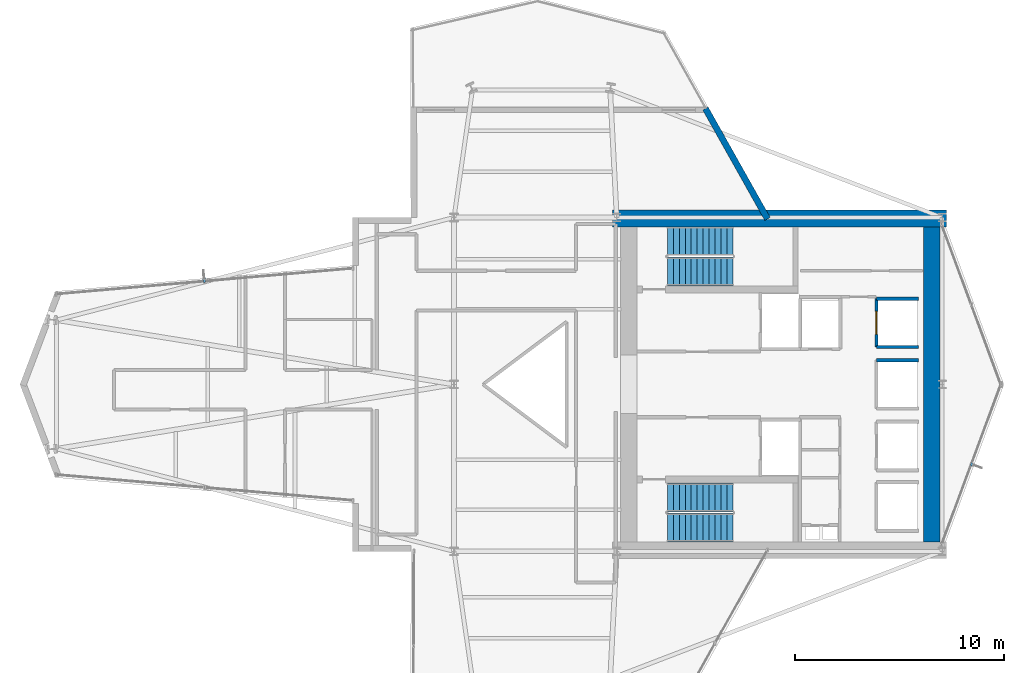
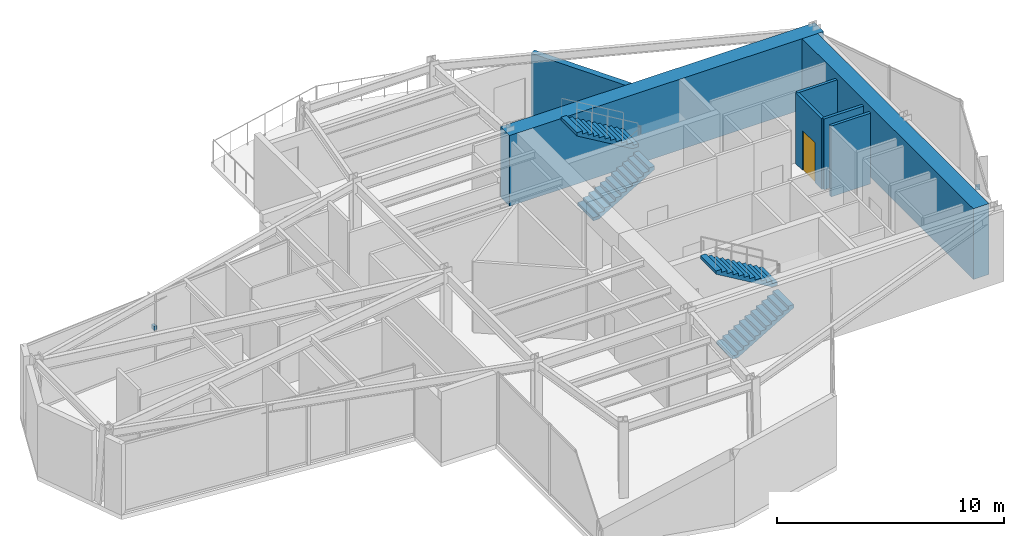
# One storey, part 21 of 23: 7 walls, 4 stair flights, 2 discrete accessories, 1 door, 1 opening, 2 elements without a shape of their own.
"""IFC4 building model written with IfcOpenShell, lengths in metres."""

from ifc_helpers import new_model, si_unit, direction, frame, frame_2d, origin, origin_2d, place, context, subcontext, project, spatial, polyline, rectangle, outline, extrude, material, layer, layer_set, type_object, element, fill, aggregate, save


model = new_model("IFC4")

# Units and contexts
model_context = context("Model", 3, precision=1e-05, world=origin(), true_north=direction((0.0, 1.0)))
body_context = subcontext(model_context, "Body", "Model", "MODEL_VIEW")
ifc_project = project(units=[si_unit("LENGTHUNIT", "METRE"), si_unit("AREAUNIT", "SQUARE_METRE"), si_unit("VOLUMEUNIT", "CUBIC_METRE"), si_unit("PLANEANGLEUNIT", "RADIAN"), si_unit("MASSUNIT", "GRAM", prefix="KILO")], contexts=[model_context])

# Site, building, storey
site_placement = place(None, origin())
site = spatial("IfcSite", under=ifc_project, at=site_placement, CompositionType="ELEMENT")
building_placement = place(site_placement, origin())
building = spatial("IfcBuilding", under=site, at=building_placement, Name="Veymaron Broadcast Tower", CompositionType="ELEMENT")
storey_placement = place(building_placement, frame((0.0, 0.0, 165.449951171875)))
storey = spatial("IfcBuildingStorey", under=building, at=storey_placement, Name="L38", CompositionType="ELEMENT", Elevation=165.449951171875)

# Wall
ifc_material_1 = material(Name="Precast concrete C40/50 with mineral-wool insulation", Category="concrete")
ifc_layer_1 = layer(ifc_material_1, 0.300048828125)
ifc_layer_set_1 = layer_set([ifc_layer_1], Name="Precast concrete C40/50 with mineral-wool insulation")
wall_type_1 = type_object("IfcWallType", Name="WALL-EXT-300", PredefinedType="STANDARD", material=ifc_layer_set_1)
wall_1_placement = place(storey_placement, frame((46.22802734375, 31.931396484375, 0.0), z_axis=(0.0, 0.0, 1.0), x_axis=(-0.490139068903, 0.871644246889, 0.0)))
element("IfcWall", 1, at=wall_1_placement, inside=storey, type_object=wall_type_1, Name="L38 notched corner facade pier 6-1", PredefinedType="STANDARD", context=body_context, shape_type="SweptSolid", body=[
    extrude(rectangle(XDim=6.072509765625, YDim=0.300048828125, at=frame_2d((3.0361328125, 0.0))), origin(), (0.0, 0.0, 1.0), 3.338134765625),
])

# Wall, opening, door
ifc_material_2 = material(Name="Gypsum fireboard and steel stud framing", Category="steel")
ifc_layer_2 = layer(ifc_material_2, 0.14990234375)
ifc_layer_set_2 = layer_set([ifc_layer_2], Name="Gypsum fireboard and steel stud framing")
wall_type_2 = type_object("IfcWallType", Name="WALL-FIRE-150", PredefinedType="PARTITIONING", material=ifc_layer_set_2)
wall_2_placement = place(storey_placement, frame((51.445068359375, 25.7900390625, 0.0), z_axis=(0.0, 0.0, 1.0), x_axis=(0.0, 1.0, 0.0)))
wall_2 = element("IfcWall", 2, at=wall_2_placement, inside=storey, type_object=wall_type_2, Name="L38 partition IW-L38-SHW-PM1", PredefinedType="PARTITIONING", context=body_context, shape_type="SweptSolid", body=[
    extrude(rectangle(XDim=2.320068359375, YDim=0.14990234375, at=frame_2d((1.16015625, 0.0))), origin(), (0.0, 0.0, 1.0), 3.81005859375),
])
opening_placement = place(wall_2_placement, frame((0.610107421875, 0.0, 0.0)))
opening = element("IfcOpeningElement", 3, at=opening_placement, cuts=wall_2, Name="Opening LD", PredefinedType="OPENING", context=body_context, shape_type="SweptSolid", body=[
    extrude(rectangle(XDim=1.10009765625, YDim=2.14990234375, at=frame_2d((0.550048828125, 1.074951171875))), frame((0.0, 0.0849609375, 0.0), z_axis=(0.0, -1.0, 0.0), x_axis=(1.0, 0.0, 0.0)), (0.0, 0.0, 1.0), 0.169921875),
])
ifc_material_3 = material(Name="Brushed stainless steel AISI 304", Category="steel")
door_type = type_object("IfcDoorType", Name="DOOR-LIFT-1100", OperationType="DOUBLE_DOOR_SLIDING", PredefinedType="DOOR", material=ifc_material_3)
door_placement = place(opening_placement, frame((1.10009765625, 0.0, 0.0), z_axis=(0.0, 0.0, 1.0), x_axis=(-1.0, 0.0, 0.0)))
door = element("IfcDoor", 4, at=door_placement, inside=storey, type_object=door_type, Name="L38 door LD-L38-PM1", OperationType="DOUBLE_DOOR_SLIDING", OverallHeight=2.14990234375, OverallWidth=1.10009765625, PredefinedType="DOOR", context=body_context, shape_type="SweptSolid", body=[
    extrude(rectangle(XDim=1.10009765625, YDim=2.14990234375, at=frame_2d((0.550048828125, 1.074951171875))), frame((0.0, 0.02490234375, 0.0), z_axis=(0.0, -1.0, 0.0), x_axis=(1.0, 0.0, 0.0)), (0.0, 0.0, 1.0), 0.050048828125),
])
fill(opening, door)

# Walls
for number, where, z_axis, x_axis, name in (
    (5, (51.445068359375, 25.7900390625, 0.0), (0.0, 0.0, 1.0), (1.0, 0.0, 0.0), "L38 partition IW-L38-SHS-PM1"),
    (6, (51.445068359375, 28.110107421875, 0.0), (0.0, 0.0, 1.0), (1.0, 0.0, 0.0), "L38 partition IW-L38-SHN-PM1"),
    (7, (51.445068359375, 25.159912109375, 0.0), (0.0, 0.0, 1.0), (1.0, 0.0, 0.0), "L38 partition IW-L38-SHN-PM3"),
):
    element("IfcWall", number, at=place(storey_placement, frame(where, z_axis=z_axis, x_axis=x_axis)), inside=storey, type_object=wall_type_2, Name=name, PredefinedType="PARTITIONING", context=body_context, shape_type="SweptSolid", body=[
        extrude(rectangle(XDim=2.014892578125, YDim=0.14990234375, at=frame_2d((1.00732421875, 0.0))), origin(), (0.0, 0.0, 1.0), 3.81005859375),
    ])
ifc_material_4 = material(Name="Concrete C60/75", Category="concrete")
ifc_layer_3 = layer(ifc_material_4, 0.800048828125)
ifc_layer_set_3 = layer_set([ifc_layer_3], Name="Concrete C60/75")
wall_type_3 = type_object("IfcWallType", Name="WALL-SHEAR-800", PredefinedType="SHEAR", material=ifc_layer_set_3)
wall_3_placement = place(storey_placement, frame((38.800048828125, 31.949951171875, 0.0), z_axis=(0.0, 0.0, 1.0), x_axis=(1.0, 0.0, 0.0)))
element("IfcWall", 8, at=wall_3_placement, inside=storey, type_object=wall_type_3, Name="L38 Core Wall north shear", PredefinedType="SHEAR", context=body_context, shape_type="SweptSolid", body=[
    extrude(rectangle(XDim=16.0, YDim=0.800048828125, at=frame_2d((8.0, 0.0))), origin(), (0.0, 0.0, 1.0), 3.81005859375),
])
wall_4_placement = place(storey_placement, frame((54.10009765625, 16.449951171875, 0.0), z_axis=(0.0, 0.0, 1.0), x_axis=(0.0, 1.0, 0.0)))
element("IfcWall", 9, at=wall_4_placement, inside=storey, type_object=wall_type_3, Name="L38 Core Wall east shear", PredefinedType="SHEAR", context=body_context, shape_type="SweptSolid", body=[
    extrude(rectangle(XDim=15.10009765625, YDim=0.800048828125, at=frame_2d((7.550048828125, 0.0))), origin(), (0.0, 0.0, 1.0), 3.81005859375),
])

# Stair, stair flights
ifc_material_5 = material(Name="Concrete C50/60", Category="concrete")
stair_type_1 = type_object("IfcStairType", Name="STAIR-CORE-1", PredefinedType="HALF_TURN_STAIR", material=ifc_material_5)
stair_1_placement = place(storey_placement, origin())
stair_1 = element("IfcStair", 10, at=stair_1_placement, inside=storey, type_object=stair_type_1, Name="L38 North protected dog-leg exit stair ST1", PredefinedType="HALF_TURN_STAIR")
ifc_material_6 = material(Name="Precast concrete C50/60", Category="concrete")
stair_flight_type = type_object("IfcStairFlightType", Name="FLT-CORE-RC", PredefinedType="STRAIGHT", material=ifc_material_6)
stair_flight_1_placement = place(storey_placement, frame((41.429931640625, 29.419921875, 0.0), z_axis=(0.0, 0.0, 1.0), x_axis=(1.0, 0.0, 0.0)))
stair_flight_1 = element("IfcStairFlight", 11, at=stair_flight_1_placement, type_object=stair_flight_type, Name="ST1 flight 1", NumberOfRisers=12, NumberOfTreads=11, PredefinedType="STRAIGHT", RiserHeight=0.16875, TreadLength=0.285, context=body_context, shape_type="SweptSolid", body=[
    extrude(outline(polyline([(0.0, 0.0), (0.0, 0.168701171875), (0.284912109375, 0.168701171875), (0.284912109375, 0.33740234375), (0.570068359375, 0.33740234375), (0.570068359375, 0.50634765625), (0.85498046875, 0.50634765625), (0.85498046875, 0.675048828125), (1.139892578125, 0.675048828125), (1.139892578125, 0.84375), (1.425048828125, 0.84375), (1.425048828125, 1.012451171875), (1.7099609375, 1.012451171875), (1.7099609375, 1.18115234375), (1.9951171875, 1.18115234375), (1.9951171875, 1.35009765625), (2.280029296875, 1.35009765625), (2.280029296875, 1.518798828125), (2.56494140625, 1.518798828125), (2.56494140625, 1.6875), (2.85009765625, 1.6875), (2.85009765625, 1.856201171875), (3.135009765625, 1.856201171875), (3.135009765625, 2.02490234375), (3.135009765625, 1.68212890625), (0.294189453125, 0.0), (0.0, 0.0)])), frame((0.0, 0.68994140625, 0.0), z_axis=(0.0, -1.0, 0.0), x_axis=(1.0, 0.0, 0.0)), (0.0, 0.0, 1.0), 1.3798828125),
])
stair_flight_2_placement = place(storey_placement, frame((44.56494140625, 30.860107421875, 2.025146484375), z_axis=(0.0, 0.0, 1.0), x_axis=(-1.0, 0.0, 0.0)))
stair_flight_2 = element("IfcStairFlight", 12, at=stair_flight_2_placement, type_object=stair_flight_type, Name="ST1 flight 2", NumberOfRisers=12, NumberOfTreads=11, PredefinedType="STRAIGHT", RiserHeight=0.16875, TreadLength=0.285, context=body_context, shape_type="SweptSolid", body=[
    extrude(outline(polyline([(0.0, 0.0), (0.0, 0.168701171875), (0.284912109375, 0.168701171875), (0.284912109375, 0.33740234375), (0.570068359375, 0.33740234375), (0.570068359375, 0.50634765625), (0.85498046875, 0.50634765625), (0.85498046875, 0.675048828125), (1.139892578125, 0.675048828125), (1.139892578125, 0.84375), (1.425048828125, 0.84375), (1.425048828125, 1.012451171875), (1.7099609375, 1.012451171875), (1.7099609375, 1.18115234375), (1.9951171875, 1.18115234375), (1.9951171875, 1.35009765625), (2.280029296875, 1.35009765625), (2.280029296875, 1.518798828125), (2.56494140625, 1.518798828125), (2.56494140625, 1.6875), (2.85009765625, 1.6875), (2.85009765625, 1.856201171875), (3.135009765625, 1.856201171875), (3.135009765625, 2.02490234375), (3.135009765625, 1.68212890625), (0.294189453125, 0.0), (0.0, 0.0)])), frame((0.0, 0.68994140625, 0.0), z_axis=(0.0, -1.0, 0.0), x_axis=(1.0, 0.0, 0.0)), (0.0, 0.0, 1.0), 1.3798828125),
])
aggregate(stair_1, [stair_flight_1, stair_flight_2])

stair_type_2 = type_object("IfcStairType", Name="STAIR-CORE-2", PredefinedType="HALF_TURN_STAIR", material=ifc_material_5)
stair_2_placement = place(storey_placement, origin())
stair_2 = element("IfcStair", 13, at=stair_2_placement, inside=storey, type_object=stair_type_2, Name="L38 South protected dog-leg exit stair ST2", PredefinedType="HALF_TURN_STAIR")
stair_flight_3_placement = place(storey_placement, frame((41.429931640625, 17.139892578125, 0.0), z_axis=(0.0, 0.0, 1.0), x_axis=(1.0, 0.0, 0.0)))
stair_flight_3 = element("IfcStairFlight", 14, at=stair_flight_3_placement, type_object=stair_flight_type, Name="ST2 flight 1", NumberOfRisers=12, NumberOfTreads=11, PredefinedType="STRAIGHT", RiserHeight=0.16875, TreadLength=0.285, context=body_context, shape_type="SweptSolid", body=[
    extrude(outline(polyline([(0.0, 0.0), (0.0, 0.168701171875), (0.284912109375, 0.168701171875), (0.284912109375, 0.33740234375), (0.570068359375, 0.33740234375), (0.570068359375, 0.50634765625), (0.85498046875, 0.50634765625), (0.85498046875, 0.675048828125), (1.139892578125, 0.675048828125), (1.139892578125, 0.84375), (1.425048828125, 0.84375), (1.425048828125, 1.012451171875), (1.7099609375, 1.012451171875), (1.7099609375, 1.18115234375), (1.9951171875, 1.18115234375), (1.9951171875, 1.35009765625), (2.280029296875, 1.35009765625), (2.280029296875, 1.518798828125), (2.56494140625, 1.518798828125), (2.56494140625, 1.6875), (2.85009765625, 1.6875), (2.85009765625, 1.856201171875), (3.135009765625, 1.856201171875), (3.135009765625, 2.02490234375), (3.135009765625, 1.68212890625), (0.294189453125, 0.0), (0.0, 0.0)])), frame((0.0, 0.68994140625, 0.0), z_axis=(0.0, -1.0, 0.0), x_axis=(1.0, 0.0, 0.0)), (0.0, 0.0, 1.0), 1.3798828125),
])
stair_flight_4_placement = place(storey_placement, frame((44.56494140625, 18.580078125, 2.025146484375), z_axis=(0.0, 0.0, 1.0), x_axis=(-1.0, 0.0, 0.0)))
stair_flight_4 = element("IfcStairFlight", 15, at=stair_flight_4_placement, type_object=stair_flight_type, Name="ST2 flight 2", NumberOfRisers=12, NumberOfTreads=11, PredefinedType="STRAIGHT", RiserHeight=0.16875, TreadLength=0.285, context=body_context, shape_type="SweptSolid", body=[
    extrude(outline(polyline([(0.0, 0.0), (0.0, 0.168701171875), (0.284912109375, 0.168701171875), (0.284912109375, 0.33740234375), (0.570068359375, 0.33740234375), (0.570068359375, 0.50634765625), (0.85498046875, 0.50634765625), (0.85498046875, 0.675048828125), (1.139892578125, 0.675048828125), (1.139892578125, 0.84375), (1.425048828125, 0.84375), (1.425048828125, 1.012451171875), (1.7099609375, 1.012451171875), (1.7099609375, 1.18115234375), (1.9951171875, 1.18115234375), (1.9951171875, 1.35009765625), (2.280029296875, 1.35009765625), (2.280029296875, 1.518798828125), (2.56494140625, 1.518798828125), (2.56494140625, 1.6875), (2.85009765625, 1.6875), (2.85009765625, 1.856201171875), (3.135009765625, 1.856201171875), (3.135009765625, 2.02490234375), (3.135009765625, 1.68212890625), (0.294189453125, 0.0), (0.0, 0.0)])), frame((0.0, 0.68994140625, 0.0), z_axis=(0.0, -1.0, 0.0), x_axis=(1.0, 0.0, 0.0)), (0.0, 0.0, 1.0), 1.3798828125),
])
aggregate(stair_2, [stair_flight_3, stair_flight_4])

# Discrete accessories
ifc_material_7 = material(Name="Austenitic stainless steel AISI 316L", Category="steel")
ifc_layer_4 = layer(ifc_material_7, 0.1201171875)
ifc_layer_set_4 = layer_set([ifc_layer_4], Name="Austenitic stainless steel AISI 316L")
discrete_accessory_type = type_object("IfcDiscreteAccessoryType", Name="ACC-BRKT-SS1", PredefinedType="BRACKET", material=ifc_layer_set_4)
for number, where, z_axis, x_axis, name in (
    (16, (56.052001953125, 20.15380859375, 1.794921875), (0.0, 0.0, 1.0), (0.937822310464, -0.347115706928, 0.0), "CW-L38-E3-1 fin bracket 1"),
    (17, (19.22900390625, 29.00244140625, 1.794921875), (0.0, 0.0, 1.0), (-0.086460246466, 0.996255301507, 0.0), "CW-L38-E11-1 fin bracket 1"),
):
    element("IfcDiscreteAccessory", number, at=place(storey_placement, frame(where, z_axis=z_axis, x_axis=x_axis)), inside=storey, type_object=discrete_accessory_type, Name=name, PredefinedType="BRACKET", context=body_context, shape_type="SweptSolid", body=[
        extrude(rectangle(XDim=0.219970703125, YDim=0.139892578125, at=origin_2d()), origin(), (0.0, 0.0, 1.0), 0.219970703125),
    ])

save(model, "model.ifc")
